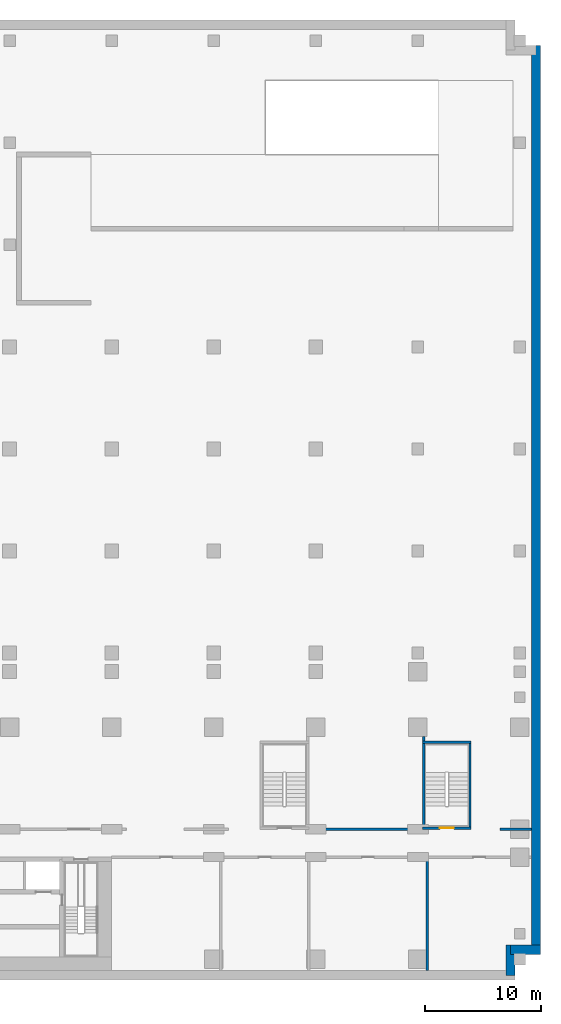
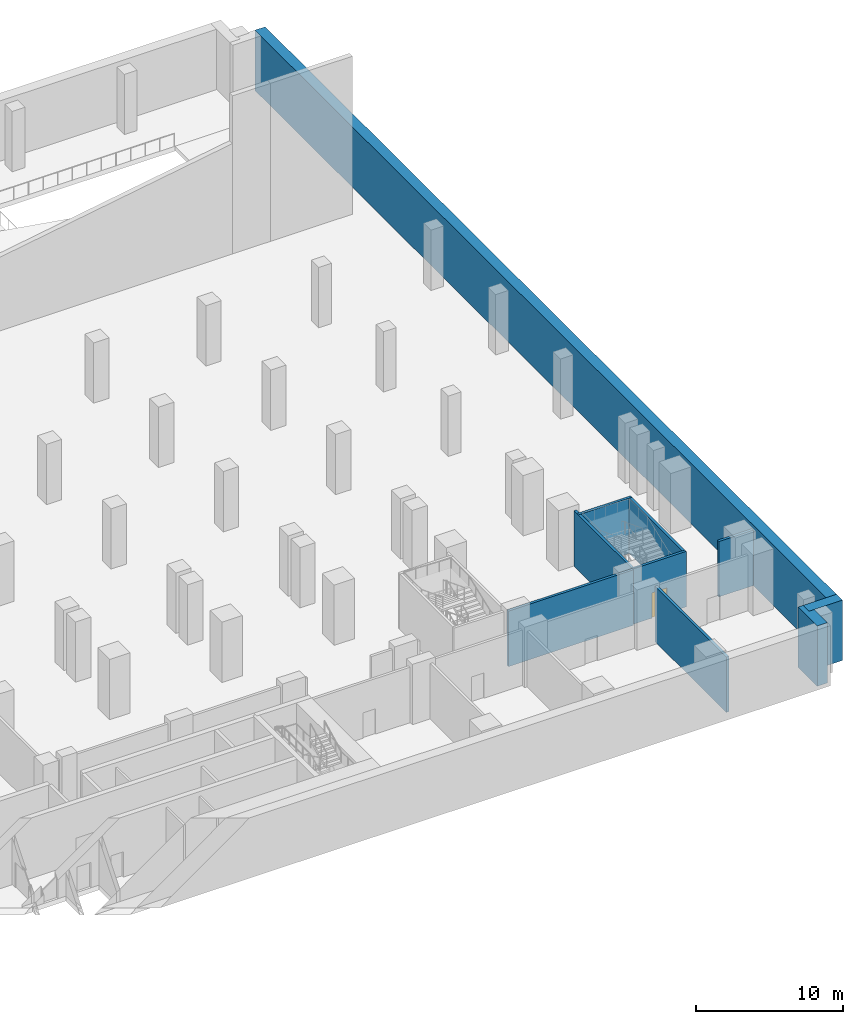
# One storey, part 6 of 12: 10 walls, 1 door, 1 opening.
"""IFC4 building model written with IfcOpenShell, lengths in metres."""

from ifc_helpers import new_model, si_unit, direction, frame, frame_2d, origin, place, context, subcontext, project, spatial, rectangle, extrude, material, layer, layer_set, type_object, element, fill, save


model = new_model("IFC4")

# Units and contexts
model_context = context("Model", 3, precision=1e-05, world=origin(), true_north=direction((0.0, 1.0)))
body_context = subcontext(model_context, "Body", "Model", "MODEL_VIEW")
ifc_project = project(units=[si_unit("LENGTHUNIT", "METRE"), si_unit("AREAUNIT", "SQUARE_METRE"), si_unit("VOLUMEUNIT", "CUBIC_METRE"), si_unit("PLANEANGLEUNIT", "RADIAN"), si_unit("MASSUNIT", "GRAM", prefix="KILO")], contexts=[model_context])

# Site, building, storey
site_placement = place(None, origin())
site = spatial("IfcSite", under=ifc_project, at=site_placement, CompositionType="ELEMENT")
building_placement = place(site_placement, origin())
building = spatial("IfcBuilding", under=site, at=building_placement, Name="Kemantara Hotel Tower", CompositionType="ELEMENT")
storey_placement = place(building_placement, frame((0.0, 0.0, -12.0)))
storey = spatial("IfcBuildingStorey", under=building, at=storey_placement, Name="B2", CompositionType="ELEMENT", Elevation=-12.0)

# Walls
ifc_material_1 = material(Name="Concrete fc 40 MPa", Category="concrete")
ifc_layer_1 = layer(ifc_material_1, 0.800048828125)
ifc_layer_set_1 = layer_set([ifc_layer_1], Name="Concrete fc 40 MPa")
wall_type_1 = type_object("IfcWallType", Name="BASEMENT PERIMETER WALL 800 FC40", PredefinedType="SHEAR", material=ifc_layer_set_1)
wall_1_placement = place(storey_placement, frame((81.60009765625, 79.800048828125, 0.0), z_axis=(0.0, 0.0, 1.0), x_axis=(0.0, -1.0, 0.0)))
element("IfcWall", 1, at=wall_1_placement, inside=storey, type_object=wall_type_1, Name="BASEMENT PERIMETER WALL B2 1", PredefinedType="SHEAR", context=body_context, shape_type="SweptSolid", body=[
    extrude(rectangle(XDim=78.0, YDim=0.800048828125, at=frame_2d((39.0, 0.0))), origin(), (0.0, 0.0, 1.0), 5.0),
])
wall_2_placement = place(storey_placement, frame((82.0, 1.800048828125, 0.0), z_axis=(0.0, 0.0, 1.0), x_axis=(-1.0, 0.0, 0.0)))
element("IfcWall", 2, at=wall_2_placement, inside=storey, type_object=wall_type_1, Name="BASEMENT PERIMETER WALL B2 2", PredefinedType="SHEAR", context=body_context, shape_type="SweptSolid", body=[
    extrude(rectangle(XDim=2.60009765625, YDim=0.800048828125, at=frame_2d((1.300048828125, 0.0))), origin(), (0.0, 0.0, 1.0), 5.0),
])
wall_3_placement = place(storey_placement, frame((79.39990234375, 2.199951171875, 0.0), z_axis=(0.0, 0.0, 1.0), x_axis=(0.0, -1.0, 0.0)))
element("IfcWall", 3, at=wall_3_placement, inside=storey, type_object=wall_type_1, Name="BASEMENT PERIMETER WALL B2 3", PredefinedType="SHEAR", context=body_context, shape_type="SweptSolid", body=[
    extrude(rectangle(XDim=2.599853515625, YDim=0.800048828125, at=frame_2d((1.2998046875, 0.0))), origin(), (0.0, 0.0, 1.0), 5.0),
])

# Wall, opening, door
ifc_layer_2 = layer(ifc_material_1, 0.199951171875)
ifc_layer_set_2 = layer_set([ifc_layer_2], Name="Concrete fc 40 MPa")
wall_type_2 = type_object("IfcWallType", Name="Concrete stair wall 200 mm", PredefinedType="SHEAR", material=ifc_layer_set_2)
wall_4_placement = place(storey_placement, frame((71.800048828125, 12.300048828125, 0.0), z_axis=(0.0, 0.0, 1.0), x_axis=(1.0, 0.0, 0.0)))
wall_4 = element("IfcWall", 4, at=wall_4_placement, inside=storey, type_object=wall_type_2, Name="Stair ST5 enclosure wall with door", PredefinedType="SHEAR", context=body_context, shape_type="SweptSolid", body=[
    extrude(rectangle(XDim=4.199951171875, YDim=0.199951171875, at=frame_2d((2.10009765625, 0.0))), origin(), (0.0, 0.0, 1.0), 4.597900390625),
])
opening_placement = place(wall_4_placement, frame((1.5, 0.0, 0.0)))
opening = element("IfcOpeningElement", 5, at=opening_placement, cuts=wall_4, Name="Opening ST5-C", PredefinedType="OPENING", context=body_context, shape_type="SweptSolid", body=[
    extrude(rectangle(XDim=1.199951171875, YDim=2.10009765625, at=frame_2d((0.60009765625, 1.050048828125))), frame((0.0, 0.10986328125, 0.0), z_axis=(0.0, -1.0, 0.0), x_axis=(1.0, 0.0, 0.0)), (0.0, 0.0, 1.0), 0.219970703125),
])
ifc_material_2 = material(Name="Steel fire door", Category="steel")
door_type = type_object("IfcDoorType", Name="Fire door FD90 1200 x 2100", OperationType="NOTDEFINED", PredefinedType="DOOR", material=ifc_material_2)
door_placement = place(opening_placement, origin())
door = element("IfcDoor", 6, at=door_placement, inside=storey, type_object=door_type, Name="Stair ST5 door", OperationType="SINGLE_SWING_RIGHT", OverallHeight=2.10009765625, OverallWidth=1.199951171875, PredefinedType="DOOR", context=body_context, shape_type="SweptSolid", body=[
    extrude(rectangle(XDim=1.199951171875, YDim=2.10009765625, at=frame_2d((0.60009765625, 1.050048828125))), frame((0.0, 0.02490234375, 0.0), z_axis=(0.0, -1.0, 0.0), x_axis=(1.0, 0.0, 0.0)), (0.0, 0.0, 1.0), 0.050048828125),
])
fill(opening, door)

# Walls
wall_5_placement = place(storey_placement, frame((71.800048828125, 19.699951171875, 0.0), z_axis=(0.0, 0.0, 1.0), x_axis=(1.0, 0.0, 0.0)))
element("IfcWall", 7, at=wall_5_placement, inside=storey, type_object=wall_type_2, Name="Stair ST5 enclosure wall N", PredefinedType="SHEAR", context=body_context, shape_type="SweptSolid", body=[
    extrude(rectangle(XDim=4.199951171875, YDim=0.199951171875, at=frame_2d((2.10009765625, 0.0))), origin(), (0.0, 0.0, 1.0), 4.597900390625),
])
wall_6_placement = place(storey_placement, frame((71.89990234375, 12.39990234375, 0.0), z_axis=(0.0, 0.0, 1.0), x_axis=(0.0, 1.0, 0.0)))
element("IfcWall", 8, at=wall_6_placement, inside=storey, type_object=wall_type_2, Name="Stair ST5 enclosure wall W", PredefinedType="SHEAR", context=body_context, shape_type="SweptSolid", body=[
    extrude(rectangle(XDim=7.800048828125, YDim=0.199951171875, at=frame_2d((3.89990234375, 0.0))), origin(), (0.0, 0.0, 1.0), 4.597900390625),
])
wall_7_placement = place(storey_placement, frame((75.89990234375, 12.39990234375, 0.0), z_axis=(0.0, 0.0, 1.0), x_axis=(0.0, 1.0, 0.0)))
element("IfcWall", 9, at=wall_7_placement, inside=storey, type_object=wall_type_2, Name="Stair ST5 enclosure wall E", PredefinedType="SHEAR", context=body_context, shape_type="SweptSolid", body=[
    extrude(rectangle(XDim=7.2001953125, YDim=0.199951171875, at=frame_2d((3.60009765625, 0.0))), origin(), (0.0, 0.0, 1.0), 4.597900390625),
])
ifc_material_3 = material(Name="Fire-rated gypsum board partition")
ifc_layer_3 = layer(ifc_material_3, 0.199951171875)
ifc_layer_set_3 = layer_set([ifc_layer_3], Name="Fire-rated gypsum board partition")
wall_type_3 = type_object("IfcWallType", Name="FIRE-RATED GYPSUM PARTITION 200 EI 60", PredefinedType="PARTITIONING", material=ifc_layer_set_3)
wall_8_placement = place(storey_placement, frame((62.0, 12.199951171875, 0.0), z_axis=(0.0, 0.0, 1.0), x_axis=(1.0, 0.0, 0.0)))
element("IfcWall", 10, at=wall_8_placement, inside=storey, type_object=wall_type_3, Name="FIRE-RATED PARTITION", PredefinedType="PARTITIONING", context=body_context, shape_type="SweptSolid", body=[
    extrude(rectangle(XDim=9.800048828125, YDim=0.199951171875, at=frame_2d((4.89990234375, 0.0))), origin(), (0.0, 0.0, 1.0), 4.597900390625),
])
wall_9_placement = place(storey_placement, frame((78.5, 12.199951171875, 0.0), z_axis=(0.0, 0.0, 1.0), x_axis=(1.0, 0.0, 0.0)))
element("IfcWall", 11, at=wall_9_placement, inside=storey, type_object=wall_type_3, Name="FIRE-RATED PARTITION", PredefinedType="PARTITIONING", context=body_context, shape_type="SweptSolid", body=[
    extrude(rectangle(XDim=2.699951171875, YDim=0.199951171875, at=frame_2d((1.35009765625, 0.0))), origin(), (0.0, 0.0, 1.0), 4.597900390625),
])
ifc_material_4 = material(Name="Gypsum board partition")
ifc_layer_4 = layer(ifc_material_4, 0.199951171875)
ifc_layer_set_4 = layer_set([ifc_layer_4], Name="Gypsum board partition")
wall_type_4 = type_object("IfcWallType", Name="GYPSUM BOARD PARTITION 200", PredefinedType="PARTITIONING", material=ifc_layer_set_4)
wall_10_placement = place(storey_placement, frame((72.199951171875, 0.0, 0.0), z_axis=(0.0, 0.0, 1.0), x_axis=(0.0, 1.0, 0.0)))
element("IfcWall", 12, at=wall_10_placement, inside=storey, type_object=wall_type_4, Name="PARTITION", PredefinedType="PARTITIONING", context=body_context, shape_type="SweptSolid", body=[
    extrude(rectangle(XDim=9.699951171875, YDim=0.199951171875, at=frame_2d((4.85009765625, 0.0))), origin(), (0.0, 0.0, 1.0), 4.597900390625),
])

save(model, "model.ifc")
